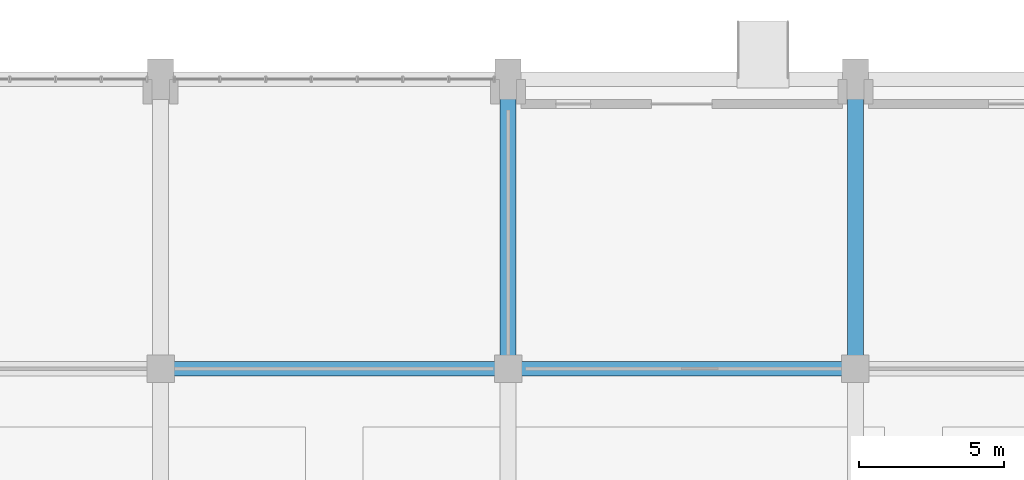
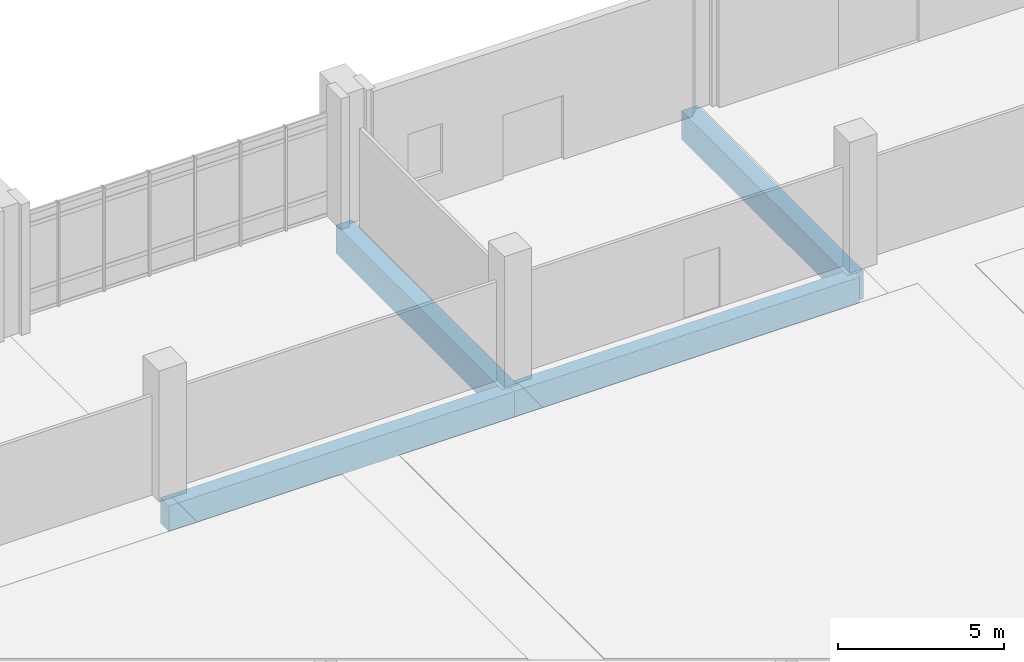
# One storey, part 17 of 87: 4 beams.
"""IFC4 building model written with IfcOpenShell, lengths in metres."""

from ifc_helpers import new_model, si_unit, direction, frame, origin, origin_2d, place, context, subcontext, project, spatial, rectangle, extrude, material, material_profile, profile_set, type_object, element, save


model = new_model("IFC4")

# Units and contexts
model_context = context("Model", 3, precision=1e-05, world=origin(), true_north=direction((0.0, 1.0)))
body_context = subcontext(model_context, "Body", "Model", "MODEL_VIEW")
ifc_project = project(units=[si_unit("LENGTHUNIT", "METRE"), si_unit("AREAUNIT", "SQUARE_METRE"), si_unit("VOLUMEUNIT", "CUBIC_METRE"), si_unit("PLANEANGLEUNIT", "RADIAN"), si_unit("MASSUNIT", "GRAM", prefix="KILO")], contexts=[model_context])

# Site, building, storey
site_placement = place(None, origin())
site = spatial("IfcSite", under=ifc_project, at=site_placement, CompositionType="ELEMENT")
building_placement = place(site_placement, origin())
building = spatial("IfcBuilding", under=site, at=building_placement, Name="Mersad Railyard Sports Hall", CompositionType="ELEMENT")
storey_placement = place(building_placement, origin())
storey = spatial("IfcBuildingStorey", under=building, at=storey_placement, Name="L00", CompositionType="ELEMENT", Elevation=0.0)

# Beams
ifc_material = material(Name="Concrete C50/60", Category="concrete")
ifc_material_profile_1 = material_profile(ifc_material, rectangle(XDim=0.5, YDim=0.949951171875, at=origin_2d()), Name="RC 500x950")
ifc_profile_set_1 = profile_set([ifc_material_profile_1], Name="Concrete C50/60")
beam_type_1 = type_object("IfcBeamType", Name="STR-BM-B03", PredefinedType="BEAM", material=ifc_profile_set_1)
for number, where, z_axis, x_axis, name in (
    (1, (43.0, 43.5, -0.925048828125), (1.0, 0.0, 0.0), (0.0, 1.0, 0.0), "Beam B03-0018"),
    (2, (55.0, 43.5, -0.925048828125), (1.0, 0.0, 0.0), (0.0, 1.0, 0.0), "Beam B03-0019"),
):
    element("IfcBeam", number, at=place(storey_placement, frame(where, z_axis=z_axis, x_axis=x_axis)), inside=storey, type_object=beam_type_1, Name=name, PredefinedType="BEAM", context=body_context, shape_type="SweptSolid", body=[
        extrude(rectangle(XDim=0.5, YDim=0.949951171875, at=origin_2d()), origin(), (0.0, 0.0, 1.0), 12.0),
    ])
ifc_material_profile_2 = material_profile(ifc_material, rectangle(XDim=0.550048828125, YDim=1.050048828125, at=origin_2d()), Name="RC 550x1050")
ifc_profile_set_2 = profile_set([ifc_material_profile_2], Name="Concrete C50/60")
beam_type_2 = type_object("IfcBeamType", Name="STR-BM-B04", PredefinedType="BEAM", material=ifc_profile_set_2)
for number, where, z_axis, x_axis, name in (
    (3, (55.0, 43.5, -0.97509765625), (0.0, 1.0, 0.0), (-1.0, 0.0, 0.0), "Beam B04-0043"),
    (4, (67.0, 43.5, -0.97509765625), (0.0, 1.0, 0.0), (-1.0, 0.0, 0.0), "Beam B04-0046"),
):
    element("IfcBeam", number, at=place(storey_placement, frame(where, z_axis=z_axis, x_axis=x_axis)), inside=storey, type_object=beam_type_2, Name=name, PredefinedType="BEAM", context=body_context, shape_type="SweptSolid", body=[
        extrude(rectangle(XDim=0.550048828125, YDim=1.050048828125, at=origin_2d()), origin(), (0.0, 0.0, 1.0), 10.0),
    ])

save(model, "model.ifc")
